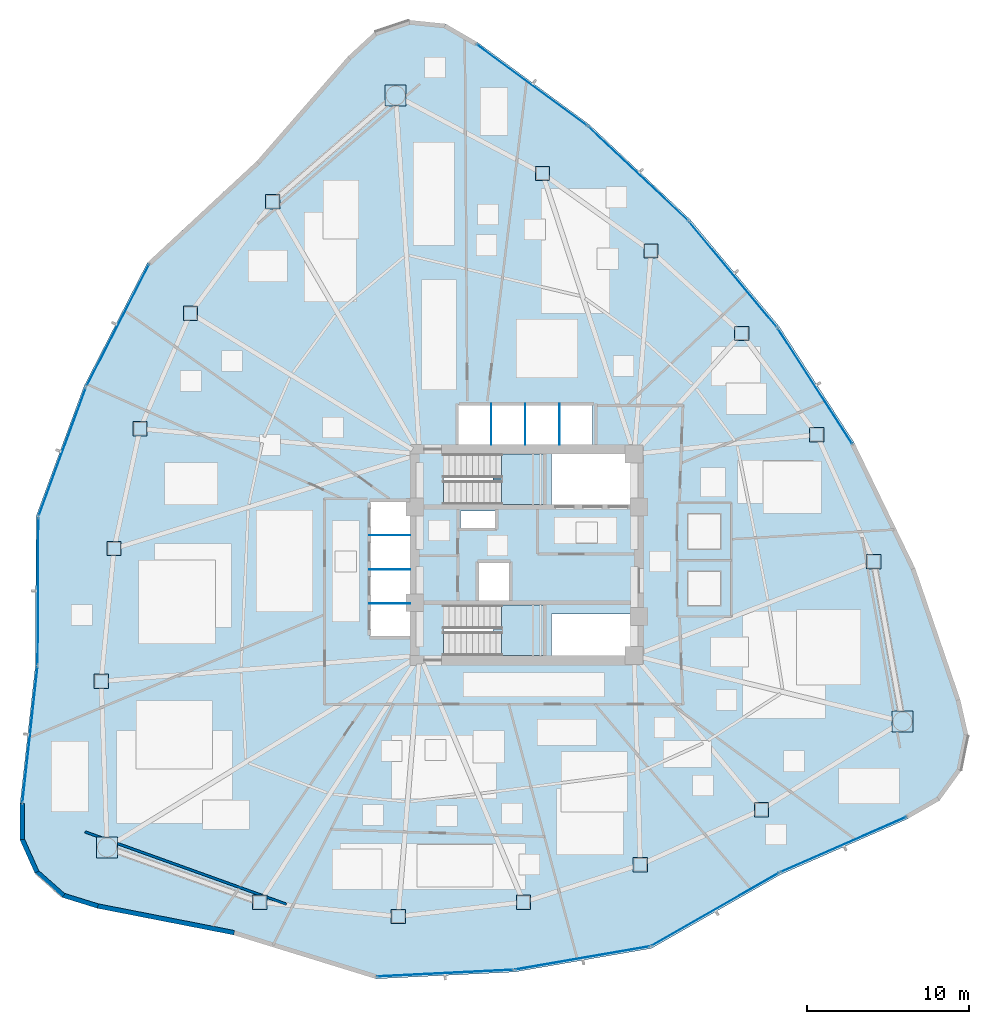
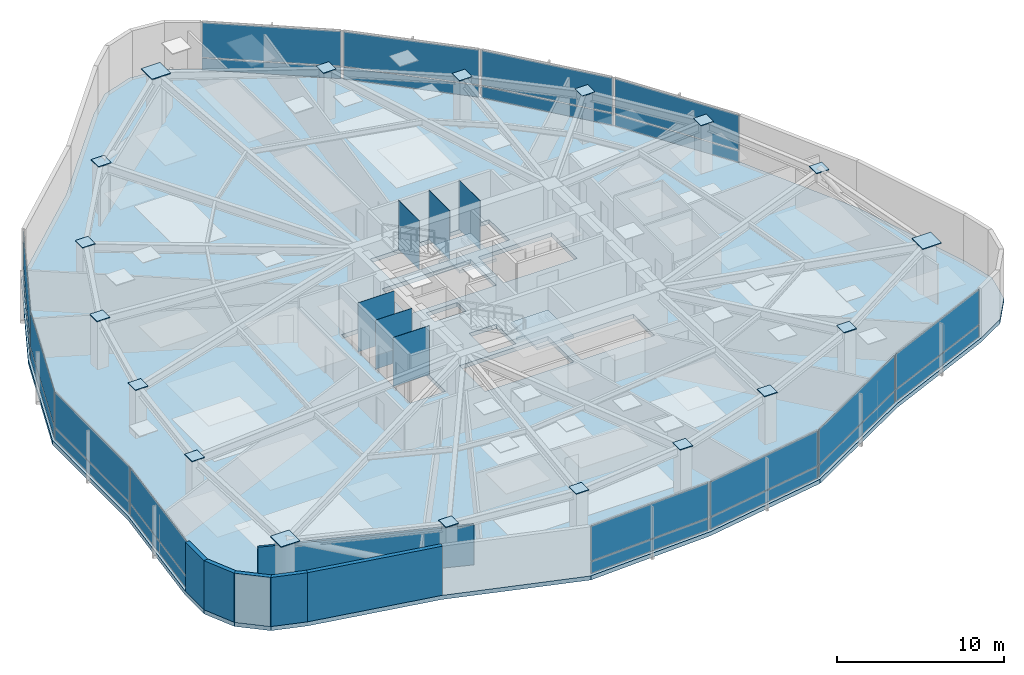
# One storey, part 11 of 18: 48 plates, 6 walls, 3 slabs, 14 elements without a shape of their own.
"""IFC4 building model written with IfcOpenShell, lengths in metres."""

from ifc_helpers import new_model, si_unit, direction, frame, frame_2d, origin, origin_2d, place, context, subcontext, project, spatial, polyline, rectangle, outline, extrude, source, transform, mapped, material, layer, layer_set, type_object, type_shapes, element, aggregate, save


model = new_model("IFC4")

# Units and contexts
model_context = context("Model", 3, precision=1e-05, world=origin(), true_north=direction((0.0, 1.0)))
body_context = subcontext(model_context, "Body", "Model", "MODEL_VIEW")
ifc_project = project(units=[si_unit("LENGTHUNIT", "METRE"), si_unit("AREAUNIT", "SQUARE_METRE"), si_unit("VOLUMEUNIT", "CUBIC_METRE"), si_unit("PLANEANGLEUNIT", "RADIAN"), si_unit("MASSUNIT", "GRAM", prefix="KILO")], contexts=[model_context])

# Site, building, storey
site_placement = place(None, origin())
site = spatial("IfcSite", under=ifc_project, at=site_placement, CompositionType="ELEMENT")
building_placement = place(site_placement, origin())
building = spatial("IfcBuilding", under=site, at=building_placement, Name="Tavelor Broadcast Tower", CompositionType="ELEMENT")
storey_placement = place(building_placement, frame((0.0, 0.0, 51.0)))
storey = spatial("IfcBuildingStorey", under=building, at=storey_placement, Name="L11", CompositionType="ELEMENT", Elevation=51.0)

# Stair, slab
ifc_material_1 = material(Name="Concrete C40/50", Category="concrete")
stair_type = type_object("IfcStairType", Name="Reinforced Concrete Protected Dogleg Stair 1450 mm", PredefinedType="HALF_TURN_STAIR", material=ifc_material_1)
stair_1_placement = place(storey_placement, origin())
stair_1 = element("IfcStair", 1, at=stair_1_placement, inside=storey, type_object=stair_type, Name="L11 Protected Core Exit Stair ST1", PredefinedType="HALF_TURN_STAIR")
ifc_layer_1 = layer(ifc_material_1, 0.199951171875)
ifc_layer_set_1 = layer_set([ifc_layer_1], Name="Concrete C40/50")
slab_type_1 = type_object("IfcSlabType", Name="Reinforced Concrete Stair Half-Landing Slab 200 mm", PredefinedType="LANDING", material=ifc_layer_set_1)
slab_1_placement = place(storey_placement, frame((0.0, 0.0, 1.75)))
slab_1 = element("IfcSlab", 2, at=slab_1_placement, type_object=slab_type_1, Name="ST1 landing 1", PredefinedType="LANDING", context=body_context, shape_type="SweptSolid", body=[
    extrude(outline(polyline([(48.445068359375, 49.590087890625), (48.445068359375, 48.094970703125), (51.0048828125, 48.094970703125), (51.0048828125, 51.205078125), (48.445068359375, 51.205078125), (48.445068359375, 49.7099609375), (47.905029296875, 49.7099609375), (47.905029296875, 49.590087890625), (48.445068359375, 49.590087890625)])), origin(), (0.0, 0.0, 1.0), 0.199951171875),
])
aggregate(stair_1, [slab_1])

stair_2_placement = place(storey_placement, origin())
stair_2 = element("IfcStair", 3, at=stair_2_placement, inside=storey, type_object=stair_type, Name="L11 Protected Core Exit Stair ST2", PredefinedType="HALF_TURN_STAIR")
slab_2_placement = place(storey_placement, frame((0.0, 0.0, 1.75)))
slab_2 = element("IfcSlab", 4, at=slab_2_placement, type_object=slab_type_1, Name="ST2 landing 1", PredefinedType="LANDING", context=body_context, shape_type="SweptSolid", body=[
    extrude(outline(polyline([(48.445068359375, 40.2900390625), (48.445068359375, 38.794921875), (51.0048828125, 38.794921875), (51.0048828125, 41.905029296875), (48.445068359375, 41.905029296875), (48.445068359375, 40.409912109375), (47.905029296875, 40.409912109375), (47.905029296875, 40.2900390625), (48.445068359375, 40.2900390625)])), origin(), (0.0, 0.0, 1.0), 0.199951171875),
])
aggregate(stair_2, [slab_2])

# Slab
ifc_layer_2 = layer(ifc_material_1, 0.300048828125)
ifc_layer_set_2 = layer_set([ifc_layer_2], Name="Concrete C40/50")
slab_type_2 = type_object("IfcSlabType", Name="Tower Composite Floor Slab 300 mm", PredefinedType="FLOOR", material=ifc_layer_set_2)
slab_3_placement = place(storey_placement, frame((0.0, 0.0, -0.300048828125)))
element("IfcSlab", 5, at=slab_3_placement, inside=storey, type_object=slab_type_2, Name="L11 Structural Floor Slab", PredefinedType="FLOOR", context=body_context, shape_type="SweptSolid", body=[
    extrude(outline(polyline([(46.944091796875, 76.549072265625), (45.001708984375, 77.677490234375), (42.76708984375, 77.906494140625), (40.63623046875, 77.1953125), (38.986572265625, 75.670654296875), (33.368408203125, 69.22509765625), (26.648681640625, 62.990966796875), (22.74365234375, 55.384521484375), (19.78759765625, 47.361083984375), (19.747314453125, 38.195068359375), (18.805419921875, 29.69677734375), (18.799560546875, 27.450439453125), (19.71875, 25.400634765625), (21.39990234375, 23.91064453125), (23.545166015625, 23.244384765625), (31.936279296875, 21.601806640625), (40.695068359375, 18.8994140625), (49.235107421875, 19.32080078125), (57.661376953125, 20.7724609375), (65.619384765625, 25.320556640625), (73.4501953125, 28.754150390625), (75.398681640625, 29.872314453125), (76.714111328125, 31.693115234375), (77.1640625, 33.893798828125), (76.668212890625, 36.084716796875), (73.895263671875, 44.173095703125), (70.163818359375, 51.866455078125), (65.52880859375, 59.051513671875), (60.05859375, 65.623046875), (53.833251953125, 71.484375), (46.944091796875, 76.549072265625)]), holes=[polyline([(56.60009765625, 38.800048828125), (51.52001953125, 38.800048828125), (51.52001953125, 41.35009765625), (56.60009765625, 41.35009765625), (56.60009765625, 38.800048828125)]), polyline([(50.99609375, 38.803955078125), (44.85400390625, 38.803955078125), (44.85400390625, 41.89599609375), (50.99609375, 41.89599609375), (50.99609375, 38.803955078125)]), polyline([(47.050048828125, 42.199951171875), (47.050048828125, 44.550048828125), (48.949951171875, 44.550048828125), (48.949951171875, 42.199951171875), (47.050048828125, 42.199951171875)]), polyline([(40.35009765625, 40.0), (40.35009765625, 48.25), (42.800048828125, 48.25), (42.800048828125, 40.0), (40.35009765625, 40.0)]), polyline([(48.050048828125, 46.64990234375), (45.89990234375, 46.64990234375), (45.89990234375, 47.699951171875), (48.050048828125, 47.699951171875), (48.050048828125, 46.64990234375)]), polyline([(50.99609375, 48.10400390625), (44.85400390625, 48.10400390625), (44.85400390625, 51.196044921875), (50.99609375, 51.196044921875), (50.99609375, 48.10400390625)]), polyline([(56.60009765625, 48.10009765625), (51.52001953125, 48.10009765625), (51.52001953125, 51.199951171875), (56.60009765625, 51.199951171875), (56.60009765625, 48.10009765625)]), polyline([(54.050048828125, 51.800048828125), (45.800048828125, 51.800048828125), (45.800048828125, 54.25), (54.050048828125, 54.25), (54.050048828125, 51.800048828125)])]), origin(), (0.0, 0.0, 1.0), 0.300048828125),
])

# Plates
ifc_material_2 = material(Name="Steel S460", Category="steel")
ifc_layer_3 = layer(ifc_material_2, 0.050048828125)
ifc_layer_set_3 = layer_set([ifc_layer_3], Name="Steel S460")
plate_type_1 = type_object("IfcPlateType", Name="Tube Hollow-End Cap Plate KN05 700x700x50", PredefinedType="USERDEFINED", material=ifc_layer_set_3)
shared_shape_1 = source(origin(), body_context, "Body", "SweptSolid", [
    extrude(rectangle(XDim=1.299072265625, YDim=1.299072265625, at=origin_2d()), origin(), (0.0, 0.0, 1.0), 0.054931640625),
])
for number, where, z_axis, x_axis, name in (
    (6, (41.923095703125, 73.266357421875, 3.57275390625), (0.0, 0.0, 1.0), (1.0, 0.0, 0.0), "L11 Hollow End Cap Plate KN05 #382"),
    (7, (24.1591796875, 26.98974609375, 3.57275390625), (0.0, 0.0, 1.0), (1.0, 0.0, 0.0), "L11 Hollow End Cap Plate KN05 #388"),
    (8, (73.117919921875, 34.743896484375, 3.57275390625), (0.0, 0.0, 1.0), (1.0, 0.0, 0.0), "L11 Hollow End Cap Plate KN05 #394"),
):
    element("IfcPlate", number, at=place(storey_placement, frame(where, z_axis=z_axis, x_axis=x_axis)), inside=storey, type_object=plate_type_1, Name=name, ObjectType="CAP PLATE", PredefinedType="USERDEFINED", context=body_context, shape_type="MappedRepresentation", body=[
        mapped(shared_shape_1, transform((0.0, 0.0, 0.0), scale=1.0)),
    ])
shared_shape_2 = source(origin(), body_context, "Body", "SweptSolid", [
    extrude(rectangle(XDim=0.8798828125, YDim=0.8798828125, at=origin_2d()), origin(), (0.0, 0.0, 1.0), 0.054931640625),
])
type_shapes(plate_type_1, [shared_shape_1, shared_shape_2])
for number, where, z_axis, x_axis, name in (
    (9, (34.356201171875, 66.727783203125, 3.57275390625), (0.0, 0.0, 1.0), (1.0, 0.0, 0.0), "L11 Hollow End Cap Plate KN05 #383"),
    (10, (29.292236328125, 59.87158203125, 3.57275390625), (0.0, 0.0, 1.0), (1.0, 0.0, 0.0), "L11 Hollow End Cap Plate KN05 #384"),
    (11, (26.189208984375, 52.75830078125, 3.57275390625), (0.0, 0.0, 1.0), (1.0, 0.0, 0.0), "L11 Hollow End Cap Plate KN05 #385"),
    (12, (24.58984375, 45.380615234375, 3.57275390625), (0.0, 0.0, 1.0), (1.0, 0.0, 0.0), "L11 Hollow End Cap Plate KN05 #386"),
    (13, (23.794677734375, 37.21630859375, 3.57275390625), (0.0, 0.0, 1.0), (1.0, 0.0, 0.0), "L11 Hollow End Cap Plate KN05 #387"),
    (14, (33.55078125, 23.615478515625, 3.57275390625), (0.0, 0.0, 1.0), (1.0, 0.0, 0.0), "L11 Hollow End Cap Plate KN05 #389"),
    (15, (42.0732421875, 22.740478515625, 3.57275390625), (0.0, 0.0, 1.0), (1.0, 0.0, 0.0), "L11 Hollow End Cap Plate KN05 #390"),
    (16, (49.78662109375, 23.617919921875, 3.57275390625), (0.0, 0.0, 1.0), (1.0, 0.0, 0.0), "L11 Hollow End Cap Plate KN05 #391"),
    (17, (56.975341796875, 25.92138671875, 3.57275390625), (0.0, 0.0, 1.0), (1.0, 0.0, 0.0), "L11 Hollow End Cap Plate KN05 #392"),
    (18, (64.443603515625, 29.31494140625, 3.57275390625), (0.0, 0.0, 1.0), (1.0, 0.0, 0.0), "L11 Hollow End Cap Plate KN05 #393"),
    (19, (71.343994140625, 44.564697265625, 3.57275390625), (0.0, 0.0, 1.0), (1.0, 0.0, 0.0), "L11 Hollow End Cap Plate KN05 #395"),
    (20, (67.8408203125, 52.382568359375, 3.57275390625), (0.0, 0.0, 1.0), (1.0, 0.0, 0.0), "L11 Hollow End Cap Plate KN05 #396"),
    (21, (63.22412109375, 58.623779296875, 3.57275390625), (0.0, 0.0, 1.0), (1.0, 0.0, 0.0), "L11 Hollow End Cap Plate KN05 #397"),
    (22, (57.634765625, 63.69775390625, 3.57275390625), (0.0, 0.0, 1.0), (1.0, 0.0, 0.0), "L11 Hollow End Cap Plate KN05 #398"),
    (23, (50.9619140625, 68.468505859375, 3.57275390625), (0.0, 0.0, 1.0), (1.0, 0.0, 0.0), "L11 Hollow End Cap Plate KN05 #399"),
):
    element("IfcPlate", number, at=place(storey_placement, frame(where, z_axis=z_axis, x_axis=x_axis)), inside=storey, type_object=plate_type_1, Name=name, ObjectType="CAP PLATE", PredefinedType="USERDEFINED", context=body_context, shape_type="MappedRepresentation", body=[
        mapped(shared_shape_2, transform((0.0, 0.0, 0.0), scale=1.0)),
    ])
ifc_material_3 = material(Name="Steel S355", Category="steel")
ifc_layer_4 = layer(ifc_material_3, 0.011962890625)
ifc_layer_set_4 = layer_set([ifc_layer_4], Name="Steel S355")
plate_type_2 = type_object("IfcPlateType", Name="Hoistway Steel Separator Screen 12 mm", PredefinedType="SHEET", material=ifc_layer_set_4)
shared_shape_3 = source(origin(), body_context, "Body", "SweptSolid", [
    extrude(rectangle(XDim=2.52001953125, YDim=0.02001953125, at=origin_2d()), origin(), (0.0, 0.0, 1.0), 3.60009765625),
])
for number, where, z_axis, x_axis, name in (
    (24, (41.56005859375, 42.0, 0.0), (0.0, 0.0, 1.0), (1.0, 0.0, 0.0), "L11 Low-Rise Hoistway Separator Screen 1"),
    (25, (41.56005859375, 44.10009765625, 0.0), (0.0, 0.0, 1.0), (1.0, 0.0, 0.0), "L11 Low-Rise Hoistway Separator Screen 2"),
    (26, (41.56005859375, 46.199951171875, 0.0), (0.0, 0.0, 1.0), (1.0, 0.0, 0.0), "L11 Low-Rise Hoistway Separator Screen 3"),
):
    element("IfcPlate", number, at=place(storey_placement, frame(where, z_axis=z_axis, x_axis=x_axis)), inside=storey, type_object=plate_type_2, Name=name, PredefinedType="SHEET", context=body_context, shape_type="MappedRepresentation", body=[
        mapped(shared_shape_3, transform((0.0, 0.0, 0.0), scale=1.0)),
    ])
shared_shape_4 = source(origin(), body_context, "Body", "SweptSolid", [
    extrude(rectangle(XDim=0.02001953125, YDim=2.52001953125, at=origin_2d()), origin(), (0.0, 0.0, 1.0), 3.60009765625),
])
type_shapes(plate_type_2, [shared_shape_3, shared_shape_4])
for number, where, z_axis, x_axis, name in (
    (27, (47.800048828125, 53.0400390625, 0.0), (0.0, 0.0, 1.0), (1.0, 0.0, 0.0), "L11 High-Rise Hoistway Separator Screen 1"),
    (28, (49.89990234375, 53.0400390625, 0.0), (0.0, 0.0, 1.0), (1.0, 0.0, 0.0), "L11 High-Rise Hoistway Separator Screen 2"),
    (29, (52.0, 53.0400390625, 0.0), (0.0, 0.0, 1.0), (1.0, 0.0, 0.0), "L11 High-Rise Hoistway Separator Screen 3"),
):
    element("IfcPlate", number, at=place(storey_placement, frame(where, z_axis=z_axis, x_axis=x_axis)), inside=storey, type_object=plate_type_2, Name=name, PredefinedType="SHEET", context=body_context, shape_type="MappedRepresentation", body=[
        mapped(shared_shape_4, transform((0.0, 0.0, 0.0), scale=1.0)),
    ])

# Curtain wall, plate
ifc_material_4 = material(Name="Architectural Anodized Aluminium", Category="aluminium")
ifc_layer_5 = layer(ifc_material_4, 0.179931640625)
ifc_layer_set_5 = layer_set([ifc_layer_5], Name="Architectural Anodized Aluminium")
curtain_wall_type = type_object("IfcCurtainWallType", Name="Tower Low-Zone Unitised Curtain Wall CW02", PredefinedType="NOTDEFINED", material=ifc_layer_set_5)
curtain_wall_1_placement = place(storey_placement, origin())
curtain_wall_1 = element("IfcCurtainWall", 30, at=curtain_wall_1_placement, inside=storey, type_object=curtain_wall_type, Name="L11 Curtain Wall CW02 Run 85", PredefinedType="NOTDEFINED")
ifc_material_5 = material(Name="Acoustic Double Glazing 28 mm", Category="glass")
ifc_layer_6 = layer(ifc_material_5, 0.028076171875)
ifc_layer_set_6 = layer_set([ifc_layer_6], Name="Acoustic Double Glazing 28 mm")
plate_type_3 = type_object("IfcPlateType", Name="CW02 Insulated Vision Glazing Panel 28 mm", PredefinedType="CURTAIN_PANEL", material=ifc_layer_set_6)
shared_shape_5 = source(origin(), body_context, "Body", "SweptSolid", [
    extrude(rectangle(XDim=8.372314453125, YDim=0.028076171875, at=origin_2d()), origin(), (0.0, 0.0, 1.0), 0.8525390625),
])
plate_1_placement = place(storey_placement, frame((24.820556640625, 59.123291015625, 0.06494140625), z_axis=(0.0, 0.0, 1.0), x_axis=(-0.456715131265, -0.889612999497, 0.0)))
plate_1 = element("IfcPlate", 31, at=plate_1_placement, type_object=plate_type_3, Name="CW02 panel 1.1", PredefinedType="CURTAIN_PANEL", context=body_context, shape_type="MappedRepresentation", body=[
    mapped(shared_shape_5, transform((0.0, 0.0, 0.0), scale=1.0)),
])

curtain_wall_2_placement = place(storey_placement, origin())
curtain_wall_2 = element("IfcCurtainWall", 32, at=curtain_wall_2_placement, inside=storey, type_object=curtain_wall_type, Name="L11 Curtain Wall CW02 Run 89", PredefinedType="NOTDEFINED")
plate_2_placement = place(storey_placement, frame((44.958740234375, 19.25, 0.06494140625), z_axis=(0.0, 0.0, 1.0), x_axis=(0.998784944241, 0.049281184615, 0.0)))
plate_2 = element("IfcPlate", 33, at=plate_2_placement, type_object=plate_type_3, Name="CW02 panel 1.1", PredefinedType="CURTAIN_PANEL", context=body_context, shape_type="MappedRepresentation", body=[
    mapped(shared_shape_5, transform((0.0, 0.0, 0.0), scale=1.0)),
])

# Plate
shared_shape_6 = source(origin(), body_context, "Body", "SweptSolid", [
    extrude(rectangle(XDim=8.372314453125, YDim=0.028076171875, at=origin_2d()), origin(), (0.0, 0.0, 1.0), 2.552490234375),
])
plate_3_placement = place(storey_placement, frame((24.820556640625, 59.123291015625, 0.982421875), z_axis=(0.0, 0.0, 1.0), x_axis=(-0.456715131265, -0.889612999497, 0.0)))
plate_3 = element("IfcPlate", 34, at=plate_3_placement, type_object=plate_type_3, Name="CW02 panel 1.2", PredefinedType="CURTAIN_PANEL", context=body_context, shape_type="MappedRepresentation", body=[
    mapped(shared_shape_6, transform((0.0, 0.0, 0.0), scale=1.0)),
])

aggregate(curtain_wall_1, [plate_1, plate_3])

plate_4_placement = place(storey_placement, frame((44.958740234375, 19.25, 0.982421875), z_axis=(0.0, 0.0, 1.0), x_axis=(0.998784944241, 0.049281184615, 0.0)))
plate_4 = element("IfcPlate", 35, at=plate_4_placement, type_object=plate_type_3, Name="CW02 panel 1.2", PredefinedType="CURTAIN_PANEL", context=body_context, shape_type="MappedRepresentation", body=[
    mapped(shared_shape_6, transform((0.0, 0.0, 0.0), scale=1.0)),
])

aggregate(curtain_wall_2, [plate_2, plate_4])

# Curtain wall, plates
curtain_wall_3_placement = place(storey_placement, origin())
curtain_wall_3 = element("IfcCurtainWall", 36, at=curtain_wall_3_placement, inside=storey, type_object=curtain_wall_type, Name="L11 Curtain Wall CW02 Run 86", PredefinedType="NOTDEFINED")
shared_shape_7 = source(origin(), body_context, "Body", "SweptSolid", [
    extrude(rectangle(XDim=8.357177734375, YDim=0.028076171875, at=origin_2d()), origin(), (0.0, 0.0, 1.0), 0.8525390625),
])
plate_5_placement = place(storey_placement, frame((21.39990234375, 51.33203125, 0.06494140625), z_axis=(0.0, 0.0, 1.0), x_axis=(-0.345698260586, -0.938345731928, 0.0)))
plate_5 = element("IfcPlate", 37, at=plate_5_placement, type_object=plate_type_3, Name="CW02 panel 1.1", PredefinedType="CURTAIN_PANEL", context=body_context, shape_type="MappedRepresentation", body=[
    mapped(shared_shape_7, transform((0.0, 0.0, 0.0), scale=1.0)),
])
shared_shape_8 = source(origin(), body_context, "Body", "SweptSolid", [
    extrude(rectangle(XDim=8.357177734375, YDim=0.028076171875, at=origin_2d()), origin(), (0.0, 0.0, 1.0), 2.552490234375),
])
plate_6_placement = place(storey_placement, frame((21.39990234375, 51.33203125, 0.982421875), z_axis=(0.0, 0.0, 1.0), x_axis=(-0.345698260586, -0.938345731928, 0.0)))
plate_6 = element("IfcPlate", 38, at=plate_6_placement, type_object=plate_type_3, Name="CW02 panel 1.2", PredefinedType="CURTAIN_PANEL", context=body_context, shape_type="MappedRepresentation", body=[
    mapped(shared_shape_8, transform((0.0, 0.0, 0.0), scale=1.0)),
])
aggregate(curtain_wall_3, [plate_5, plate_6])

# Curtain wall, plate
curtain_wall_4_placement = place(storey_placement, origin())
curtain_wall_4 = element("IfcCurtainWall", 39, at=curtain_wall_4_placement, inside=storey, type_object=curtain_wall_type, Name="L11 Curtain Wall CW02 Run 87", PredefinedType="NOTDEFINED")
shared_shape_9 = source(origin(), body_context, "Body", "SweptSolid", [
    extrude(rectangle(XDim=8.98876953125, YDim=0.028076171875, at=origin_2d()), origin(), (0.0, 0.0, 1.0), 0.8525390625),
])
plate_7_placement = place(storey_placement, frame((19.907470703125, 42.761474609375, 0.06494140625), z_axis=(0.0, 0.0, 1.0), x_axis=(-0.004408431965, -0.999990282817, 0.0)))
plate_7 = element("IfcPlate", 40, at=plate_7_placement, type_object=plate_type_3, Name="CW02 panel 1.1", PredefinedType="CURTAIN_PANEL", context=body_context, shape_type="MappedRepresentation", body=[
    mapped(shared_shape_9, transform((0.0, 0.0, 0.0), scale=1.0)),
])

curtain_wall_5_placement = place(storey_placement, origin())
curtain_wall_5 = element("IfcCurtainWall", 41, at=curtain_wall_5_placement, inside=storey, type_object=curtain_wall_type, Name="L11 Curtain Wall CW02 Run 91", PredefinedType="NOTDEFINED")
plate_8_placement = place(storey_placement, frame((61.5849609375, 23.176025390625, 0.06494140625), z_axis=(0.0, 0.0, 1.0), x_axis=(0.868220196422, 0.496179091181, 0.0)))
plate_8 = element("IfcPlate", 42, at=plate_8_placement, type_object=plate_type_3, Name="CW02 panel 1.1", PredefinedType="CURTAIN_PANEL", context=body_context, shape_type="MappedRepresentation", body=[
    mapped(shared_shape_9, transform((0.0, 0.0, 0.0), scale=1.0)),
])

# Plate
shared_shape_10 = source(origin(), body_context, "Body", "SweptSolid", [
    extrude(rectangle(XDim=8.98876953125, YDim=0.028076171875, at=origin_2d()), origin(), (0.0, 0.0, 1.0), 2.552490234375),
])
plate_9_placement = place(storey_placement, frame((19.907470703125, 42.761474609375, 0.982421875), z_axis=(0.0, 0.0, 1.0), x_axis=(-0.004408431965, -0.999990282817, 0.0)))
plate_9 = element("IfcPlate", 43, at=plate_9_placement, type_object=plate_type_3, Name="CW02 panel 1.2", PredefinedType="CURTAIN_PANEL", context=body_context, shape_type="MappedRepresentation", body=[
    mapped(shared_shape_10, transform((0.0, 0.0, 0.0), scale=1.0)),
])

aggregate(curtain_wall_4, [plate_7, plate_9])

plate_10_placement = place(storey_placement, frame((61.5849609375, 23.176025390625, 0.982421875), z_axis=(0.0, 0.0, 1.0), x_axis=(0.868220196422, 0.496179091181, 0.0)))
plate_10 = element("IfcPlate", 44, at=plate_10_placement, type_object=plate_type_3, Name="CW02 panel 1.2", PredefinedType="CURTAIN_PANEL", context=body_context, shape_type="MappedRepresentation", body=[
    mapped(shared_shape_10, transform((0.0, 0.0, 0.0), scale=1.0)),
])

aggregate(curtain_wall_5, [plate_8, plate_10])

# Curtain wall, plate
curtain_wall_6_placement = place(storey_placement, origin())
curtain_wall_6 = element("IfcCurtainWall", 45, at=curtain_wall_6_placement, inside=storey, type_object=curtain_wall_type, Name="L11 Curtain Wall CW02 Run 88", PredefinedType="NOTDEFINED")
shared_shape_11 = source(origin(), body_context, "Body", "SweptSolid", [
    extrude(rectangle(XDim=8.4052734375, YDim=0.028076171875, at=origin_2d()), origin(), (0.0, 0.0, 1.0), 0.8525390625),
])
plate_11_placement = place(storey_placement, frame((19.41552734375, 33.930419921875, 0.06494140625), z_axis=(0.0, 0.0, 1.0), x_axis=(-0.110143475738, -0.993915698011, 0.0)))
plate_11 = element("IfcPlate", 46, at=plate_11_placement, type_object=plate_type_3, Name="CW02 panel 1.1", PredefinedType="CURTAIN_PANEL", context=body_context, shape_type="MappedRepresentation", body=[
    mapped(shared_shape_11, transform((0.0, 0.0, 0.0), scale=1.0)),
])

curtain_wall_7_placement = place(storey_placement, origin())
curtain_wall_7 = element("IfcCurtainWall", 47, at=curtain_wall_7_placement, inside=storey, type_object=curtain_wall_type, Name="L11 Curtain Wall CW02 Run 92", PredefinedType="NOTDEFINED")
plate_12_placement = place(storey_placement, frame((69.478759765625, 27.16552734375, 0.06494140625), z_axis=(0.0, 0.0, 1.0), x_axis=(0.915829787603, 0.401566682059, 0.0)))
plate_12 = element("IfcPlate", 48, at=plate_12_placement, type_object=plate_type_3, Name="CW02 panel 1.1", PredefinedType="CURTAIN_PANEL", context=body_context, shape_type="MappedRepresentation", body=[
    mapped(shared_shape_11, transform((0.0, 0.0, 0.0), scale=1.0)),
])

# Plate
shared_shape_12 = source(origin(), body_context, "Body", "SweptSolid", [
    extrude(rectangle(XDim=8.4052734375, YDim=0.028076171875, at=origin_2d()), origin(), (0.0, 0.0, 1.0), 2.552490234375),
])
plate_13_placement = place(storey_placement, frame((19.41552734375, 33.930419921875, 0.982421875), z_axis=(0.0, 0.0, 1.0), x_axis=(-0.110143475738, -0.993915698011, 0.0)))
plate_13 = element("IfcPlate", 49, at=plate_13_placement, type_object=plate_type_3, Name="CW02 panel 1.2", PredefinedType="CURTAIN_PANEL", context=body_context, shape_type="MappedRepresentation", body=[
    mapped(shared_shape_12, transform((0.0, 0.0, 0.0), scale=1.0)),
])

aggregate(curtain_wall_6, [plate_11, plate_13])

plate_14_placement = place(storey_placement, frame((69.478759765625, 27.16552734375, 0.982421875), z_axis=(0.0, 0.0, 1.0), x_axis=(0.915829787603, 0.401566682059, 0.0)))
plate_14 = element("IfcPlate", 50, at=plate_14_placement, type_object=plate_type_3, Name="CW02 panel 1.2", PredefinedType="CURTAIN_PANEL", context=body_context, shape_type="MappedRepresentation", body=[
    mapped(shared_shape_12, transform((0.0, 0.0, 0.0), scale=1.0)),
])

aggregate(curtain_wall_7, [plate_12, plate_14])

# Curtain wall, plates
curtain_wall_8_placement = place(storey_placement, origin())
curtain_wall_8 = element("IfcCurtainWall", 51, at=curtain_wall_8_placement, inside=storey, type_object=curtain_wall_type, Name="L11 Curtain Wall CW02 Run 90", PredefinedType="NOTDEFINED")
shared_shape_13 = source(origin(), body_context, "Body", "SweptSolid", [
    extrude(rectangle(XDim=8.357421875, YDim=0.028076171875, at=origin_2d()), origin(), (0.0, 0.0, 1.0), 0.8525390625),
])
plate_15_placement = place(storey_placement, frame((53.41650390625, 20.18310546875, 0.06494140625), z_axis=(0.0, 0.0, 1.0), x_axis=(0.985481536416, 0.169782629802, 0.0)))
plate_15 = element("IfcPlate", 52, at=plate_15_placement, type_object=plate_type_3, Name="CW02 panel 1.1", PredefinedType="CURTAIN_PANEL", context=body_context, shape_type="MappedRepresentation", body=[
    mapped(shared_shape_13, transform((0.0, 0.0, 0.0), scale=1.0)),
])
shared_shape_14 = source(origin(), body_context, "Body", "SweptSolid", [
    extrude(rectangle(XDim=8.357421875, YDim=0.028076171875, at=origin_2d()), origin(), (0.0, 0.0, 1.0), 2.552490234375),
])
plate_16_placement = place(storey_placement, frame((53.41650390625, 20.18310546875, 0.982421875), z_axis=(0.0, 0.0, 1.0), x_axis=(0.985481536416, 0.169782629802, 0.0)))
plate_16 = element("IfcPlate", 53, at=plate_16_placement, type_object=plate_type_3, Name="CW02 panel 1.2", PredefinedType="CURTAIN_PANEL", context=body_context, shape_type="MappedRepresentation", body=[
    mapped(shared_shape_14, transform((0.0, 0.0, 0.0), scale=1.0)),
])
aggregate(curtain_wall_8, [plate_15, plate_16])

curtain_wall_9_placement = place(storey_placement, origin())
curtain_wall_9 = element("IfcCurtainWall", 54, at=curtain_wall_9_placement, inside=storey, type_object=curtain_wall_type, Name="L11 Curtain Wall CW02 Run 93", PredefinedType="NOTDEFINED")
shared_shape_15 = source(origin(), body_context, "Body", "SweptSolid", [
    extrude(rectangle(XDim=8.388427734375, YDim=0.028076171875, at=origin_2d()), origin(), (0.0, 0.0, 1.0), 0.8525390625),
])
plate_17_placement = place(storey_placement, frame((67.73291015625, 55.376953125, 0.06494140625), z_axis=(0.0, 0.0, 1.0), x_axis=(-0.542072321206, 0.840331838372, 0.0)))
plate_17 = element("IfcPlate", 55, at=plate_17_placement, type_object=plate_type_3, Name="CW02 panel 1.1", PredefinedType="CURTAIN_PANEL", context=body_context, shape_type="MappedRepresentation", body=[
    mapped(shared_shape_15, transform((0.0, 0.0, 0.0), scale=1.0)),
])
shared_shape_16 = source(origin(), body_context, "Body", "SweptSolid", [
    extrude(rectangle(XDim=8.388427734375, YDim=0.028076171875, at=origin_2d()), origin(), (0.0, 0.0, 1.0), 2.552490234375),
])
plate_18_placement = place(storey_placement, frame((67.73291015625, 55.376953125, 0.982421875), z_axis=(0.0, 0.0, 1.0), x_axis=(-0.542072321206, 0.840331838372, 0.0)))
plate_18 = element("IfcPlate", 56, at=plate_18_placement, type_object=plate_type_3, Name="CW02 panel 1.2", PredefinedType="CURTAIN_PANEL", context=body_context, shape_type="MappedRepresentation", body=[
    mapped(shared_shape_16, transform((0.0, 0.0, 0.0), scale=1.0)),
])
aggregate(curtain_wall_9, [plate_17, plate_18])

# Curtain wall, plate
curtain_wall_10_placement = place(storey_placement, origin())
curtain_wall_10 = element("IfcCurtainWall", 57, at=curtain_wall_10_placement, inside=storey, type_object=curtain_wall_type, Name="L11 Curtain Wall CW02 Run 94", PredefinedType="NOTDEFINED")
shared_shape_17 = source(origin(), body_context, "Body", "SweptSolid", [
    extrude(rectangle(XDim=8.37353515625, YDim=0.028076171875, at=origin_2d()), origin(), (0.0, 0.0, 1.0), 0.8525390625),
])
plate_19_placement = place(storey_placement, frame((62.68603515625, 62.247802734375, 0.06494140625), z_axis=(0.0, 0.0, 1.0), x_axis=(-0.639777145206, 0.768560475481, 0.0)))
plate_19 = element("IfcPlate", 58, at=plate_19_placement, type_object=plate_type_3, Name="CW02 panel 1.1", PredefinedType="CURTAIN_PANEL", context=body_context, shape_type="MappedRepresentation", body=[
    mapped(shared_shape_17, transform((0.0, 0.0, 0.0), scale=1.0)),
])

curtain_wall_11_placement = place(storey_placement, origin())
curtain_wall_11 = element("IfcCurtainWall", 59, at=curtain_wall_11_placement, inside=storey, type_object=curtain_wall_type, Name="L11 Curtain Wall CW02 Run 95", PredefinedType="NOTDEFINED")
plate_20_placement = place(storey_placement, frame((56.849853515625, 68.451904296875, 0.06494140625), z_axis=(0.0, 0.0, 1.0), x_axis=(-0.728083288709, 0.685488675839, 0.0)))
plate_20 = element("IfcPlate", 60, at=plate_20_placement, type_object=plate_type_3, Name="CW02 panel 1.1", PredefinedType="CURTAIN_PANEL", context=body_context, shape_type="MappedRepresentation", body=[
    mapped(shared_shape_17, transform((0.0, 0.0, 0.0), scale=1.0)),
])

# Plate
shared_shape_18 = source(origin(), body_context, "Body", "SweptSolid", [
    extrude(rectangle(XDim=8.37353515625, YDim=0.028076171875, at=origin_2d()), origin(), (0.0, 0.0, 1.0), 2.552490234375),
])
plate_21_placement = place(storey_placement, frame((62.68603515625, 62.247802734375, 0.982421875), z_axis=(0.0, 0.0, 1.0), x_axis=(-0.639777145206, 0.768560475481, 0.0)))
plate_21 = element("IfcPlate", 61, at=plate_21_placement, type_object=plate_type_3, Name="CW02 panel 1.2", PredefinedType="CURTAIN_PANEL", context=body_context, shape_type="MappedRepresentation", body=[
    mapped(shared_shape_18, transform((0.0, 0.0, 0.0), scale=1.0)),
])

aggregate(curtain_wall_10, [plate_19, plate_21])

plate_22_placement = place(storey_placement, frame((56.849853515625, 68.451904296875, 0.982421875), z_axis=(0.0, 0.0, 1.0), x_axis=(-0.728083288709, 0.685488675839, 0.0)))
plate_22 = element("IfcPlate", 62, at=plate_22_placement, type_object=plate_type_3, Name="CW02 panel 1.2", PredefinedType="CURTAIN_PANEL", context=body_context, shape_type="MappedRepresentation", body=[
    mapped(shared_shape_18, transform((0.0, 0.0, 0.0), scale=1.0)),
])

aggregate(curtain_wall_11, [plate_20, plate_22])

# Curtain wall, plates
curtain_wall_12_placement = place(storey_placement, origin())
curtain_wall_12 = element("IfcCurtainWall", 63, at=curtain_wall_12_placement, inside=storey, type_object=curtain_wall_type, Name="L11 Curtain Wall CW02 Run 96", PredefinedType="NOTDEFINED")
shared_shape_19 = source(origin(), body_context, "Body", "SweptSolid", [
    extrude(rectangle(XDim=8.389404296875, YDim=0.028076171875, at=origin_2d()), origin(), (0.0, 0.0, 1.0), 0.8525390625),
])
plate_23_placement = place(storey_placement, frame((50.29931640625, 73.90869140625, 0.06494140625), z_axis=(0.0, 0.0, 1.0), x_axis=(-0.805683800017, 0.592345857072, 0.0)))
plate_23 = element("IfcPlate", 64, at=plate_23_placement, type_object=plate_type_3, Name="CW02 panel 1.1", PredefinedType="CURTAIN_PANEL", context=body_context, shape_type="MappedRepresentation", body=[
    mapped(shared_shape_19, transform((0.0, 0.0, 0.0), scale=1.0)),
])
shared_shape_20 = source(origin(), body_context, "Body", "SweptSolid", [
    extrude(rectangle(XDim=8.389404296875, YDim=0.028076171875, at=origin_2d()), origin(), (0.0, 0.0, 1.0), 2.552490234375),
])
type_shapes(plate_type_3, [shared_shape_5, shared_shape_6, shared_shape_7, shared_shape_8, shared_shape_9, shared_shape_10, shared_shape_11, shared_shape_12, shared_shape_13, shared_shape_14, shared_shape_15, shared_shape_16, shared_shape_17, shared_shape_18, shared_shape_19, shared_shape_20])
plate_24_placement = place(storey_placement, frame((50.29931640625, 73.90869140625, 0.982421875), z_axis=(0.0, 0.0, 1.0), x_axis=(-0.805683800017, 0.592345857072, 0.0)))
plate_24 = element("IfcPlate", 65, at=plate_24_placement, type_object=plate_type_3, Name="CW02 panel 1.2", PredefinedType="CURTAIN_PANEL", context=body_context, shape_type="MappedRepresentation", body=[
    mapped(shared_shape_20, transform((0.0, 0.0, 0.0), scale=1.0)),
])
aggregate(curtain_wall_12, [plate_23, plate_24])

# Walls
ifc_material_6 = material(Name="Precast Concrete C40/50", Category="concrete")
ifc_layer_7 = layer(ifc_material_6, 0.280029296875)
ifc_layer_set_7 = layer_set([ifc_layer_7], Name="Precast Concrete C40/50")
wall_type_1 = type_object("IfcWallType", Name="Insulated Precast Terracotta Facade Wall 280 mm", PredefinedType="STANDARD", material=ifc_layer_set_7)
wall_1_placement = place(storey_placement, frame((18.945556640625, 29.69287109375, 0.0), z_axis=(0.0, 0.0, 1.0), x_axis=(-0.002630127889, -0.999996541208, 0.0)))
element("IfcWall", 66, at=wall_1_placement, inside=storey, type_object=wall_type_1, Name="L11 Rounded Corner Structural Cladding Pier 11", PredefinedType="STANDARD", context=body_context, shape_type="SweptSolid", body=[
    extrude(rectangle(XDim=2.227783203125, YDim=0.280029296875, at=frame_2d((1.11376953125, 0.0))), origin(), (0.0, 0.0, 1.0), 3.60009765625),
])
wall_2_placement = place(storey_placement, frame((18.93359375, 27.493896484375, 0.0), z_axis=(0.0, 0.0, 1.0), x_axis=(0.409141305043, -0.912471036531, 0.0)))
element("IfcWall", 67, at=wall_2_placement, inside=storey, type_object=wall_type_1, Name="L11 Rounded Corner Structural Cladding Pier 12", PredefinedType="STANDARD", context=body_context, shape_type="SweptSolid", body=[
    extrude(rectangle(XDim=2.21630859375, YDim=0.280029296875, at=frame_2d((1.108154296875, 0.0))), origin(), (0.0, 0.0, 1.0), 3.60009765625),
])
wall_3_placement = place(storey_placement, frame((19.822998046875, 25.495361328125, 0.0), z_axis=(0.0, 0.0, 1.0), x_axis=(0.748302192262, -0.663357994642, 0.0)))
element("IfcWall", 68, at=wall_3_placement, inside=storey, type_object=wall_type_1, Name="L11 Rounded Corner Structural Cladding Pier 13", PredefinedType="STANDARD", context=body_context, shape_type="SweptSolid", body=[
    extrude(rectangle(XDim=2.216064453125, YDim=0.280029296875, at=frame_2d((1.10791015625, 0.0))), origin(), (0.0, 0.0, 1.0), 3.60009765625),
])
wall_4_placement = place(storey_placement, frame((21.455810546875, 24.039794921875, 0.0), z_axis=(0.0, 0.0, 1.0), x_axis=(0.955023674614, -0.296529561639, 0.0)))
element("IfcWall", 69, at=wall_4_placement, inside=storey, type_object=wall_type_1, Name="L11 Rounded Corner Structural Cladding Pier 14", PredefinedType="STANDARD", context=body_context, shape_type="SweptSolid", body=[
    extrude(rectangle(XDim=2.238525390625, YDim=0.280029296875, at=frame_2d((1.119140625, 0.0))), origin(), (0.0, 0.0, 1.0), 3.60009765625),
])
wall_5_placement = place(storey_placement, frame((23.564697265625, 23.38330078125, 0.0), z_axis=(0.0, 0.0, 1.0), x_axis=(0.981376799154, -0.19209262891, 0.0)))
element("IfcWall", 70, at=wall_5_placement, inside=storey, type_object=wall_type_1, Name="L11 Rounded Corner Structural Cladding Pier 15", PredefinedType="STANDARD", context=body_context, shape_type="SweptSolid", body=[
    extrude(rectangle(XDim=8.580322265625, YDim=0.280029296875, at=frame_2d((4.2900390625, 0.0))), origin(), (0.0, 0.0, 1.0), 3.60009765625),
])
ifc_material_7 = material(Name="Gypsum Acoustic Plasterboard 150 mm", Category="gypsum")
ifc_layer_8 = layer(ifc_material_7, 0.14990234375)
ifc_layer_set_8 = layer_set([ifc_layer_8], Name="Gypsum Acoustic Plasterboard 150 mm")
wall_type_2 = type_object("IfcWallType", Name="Interior Acoustic Partition Wall 150 mm", PredefinedType="PARTITIONING", material=ifc_layer_set_8)
wall_6_placement = place(storey_placement, frame((22.802001953125, 27.94482421875, 0.0), z_axis=(0.0, 0.0, 1.0), x_axis=(0.941102349209, -0.338121824662, 0.0)))
element("IfcWall", 71, at=wall_6_placement, inside=storey, type_object=wall_type_2, Name="L11 Corner Tube Brace Furring Wall 2", PredefinedType="PARTITIONING", context=body_context, shape_type="SweptSolid", body=[
    extrude(rectangle(XDim=13.1796875, YDim=0.14990234375, at=frame_2d((6.58984375, 0.0))), origin(), (0.0, 0.0, 1.0), 2.925048828125),
])

save(model, "model.ifc")
